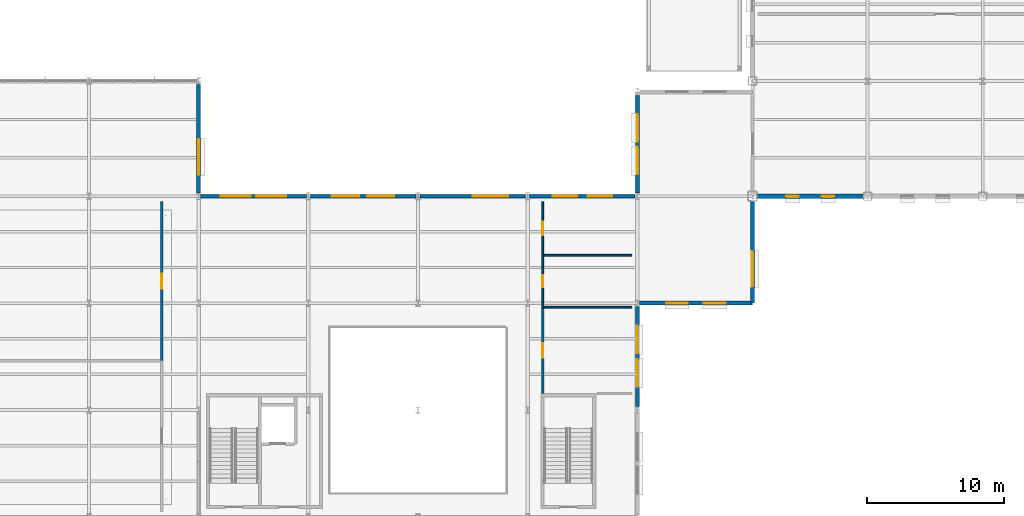
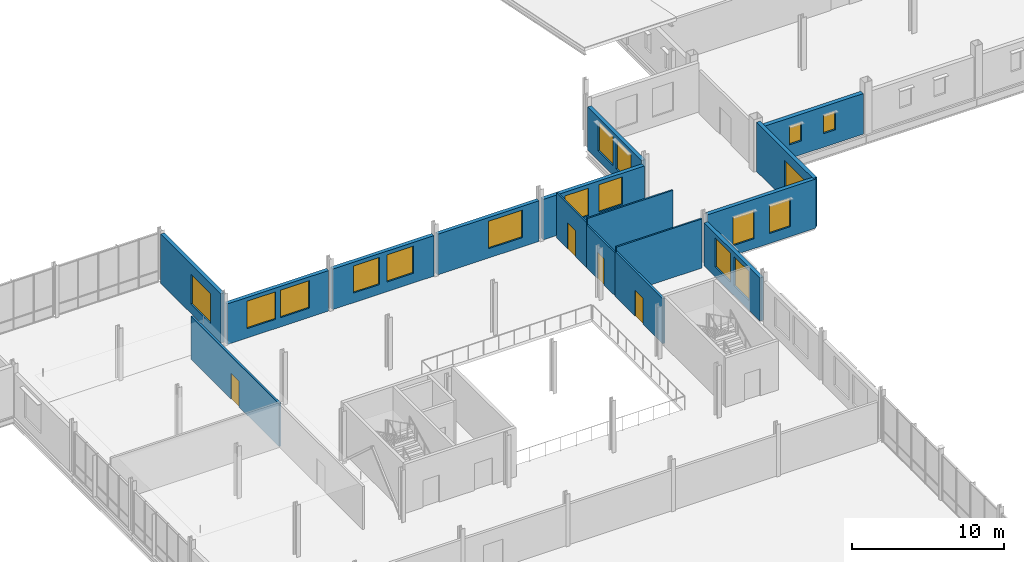
# One storey, part 63 of 75: 17 windows, 16 walls, 4 doors, 21 openings.
"""IFC4 building model written with IfcOpenShell, lengths in metres."""

from ifc_helpers import new_model, si_unit, direction, frame, frame_2d, origin, place, context, subcontext, project, spatial, rectangle, extrude, material, layer, layer_set, type_object, element, fill, save


model = new_model("IFC4")

# Units and contexts
model_context = context("Model", 3, precision=1e-05, world=origin(), true_north=direction((0.0, 1.0)))
body_context = subcontext(model_context, "Body", "Model", "MODEL_VIEW")
ifc_project = project(units=[si_unit("LENGTHUNIT", "METRE"), si_unit("AREAUNIT", "SQUARE_METRE"), si_unit("VOLUMEUNIT", "CUBIC_METRE"), si_unit("PLANEANGLEUNIT", "RADIAN"), si_unit("MASSUNIT", "GRAM", prefix="KILO")], contexts=[model_context])

# Site, building, storey
site_placement = place(None, origin())
site = spatial("IfcSite", under=ifc_project, at=site_placement, CompositionType="ELEMENT")
building_placement = place(site_placement, origin())
building = spatial("IfcBuilding", under=site, at=building_placement, Name="Yukiwa Park Conservatory and Herbarium", CompositionType="ELEMENT")
storey_placement = place(building_placement, frame((0.0, 0.0, 4.800048828125)))
storey = spatial("IfcBuildingStorey", under=building, at=storey_placement, Name="L01", CompositionType="ELEMENT", Elevation=4.800048828125)

# Wall, openings, windows
ifc_material_1 = material(Name="Pale Granite Cladding", Category="masonry")
ifc_layer_1 = layer(ifc_material_1, 0.320068359375)
ifc_layer_set_1 = layer_set([ifc_layer_1], Name="Pale Granite Cladding")
wall_type_1 = type_object("IfcWallType", Name="WL-EXT-GRAN-320", PredefinedType="SOLIDWALL", material=ifc_layer_set_1)
wall_1_placement = place(storey_placement, frame((116.75, 78.0, 0.0), z_axis=(0.0, 0.0, 1.0), x_axis=(1.0, 0.0, 0.0)))
wall_1 = element("IfcWall", 1, at=wall_1_placement, inside=storey, type_object=wall_type_1, Name="L01 exterior envelope wall 159", PredefinedType="SOLIDWALL", context=body_context, shape_type="SweptSolid", body=[
    extrude(rectangle(XDim=7.75, YDim=0.320068359375, at=frame_2d((3.875, 0.0))), origin(), (0.0, 0.0, 1.0), 3.262939453125),
])
opening_1_placement = place(wall_1_placement, frame((2.133056640625, 0.0, 1.10009765625)))
opening_1 = element("IfcOpeningElement", 2, at=opening_1_placement, cuts=wall_1, Name="Opening W-11", PredefinedType="OPENING", context=body_context, shape_type="SweptSolid", body=[
    extrude(rectangle(XDim=0.89990234375, YDim=1.5, at=frame_2d((0.449951171875, 0.75))), frame((0.0, 0.169921875, 0.0), z_axis=(0.0, -1.0, 0.0), x_axis=(1.0, 0.0, 0.0)), (0.0, 0.0, 1.0), 0.340087890625),
])
opening_2_placement = place(wall_1_placement, frame((4.717041015625, 0.0, 1.10009765625)))
opening_2 = element("IfcOpeningElement", 3, at=opening_2_placement, cuts=wall_1, Name="Opening W-11", PredefinedType="OPENING", context=body_context, shape_type="SweptSolid", body=[
    extrude(rectangle(XDim=0.89990234375, YDim=1.5, at=frame_2d((0.449951171875, 0.75))), frame((0.0, 0.169921875, 0.0), z_axis=(0.0, -1.0, 0.0), x_axis=(1.0, 0.0, 0.0)), (0.0, 0.0, 1.0), 0.340087890625),
])
ifc_material_2 = material(Name="Triple Low-E Insulated Glass", Category="glass")
window_type_1 = type_object("IfcWindowType", Name="WN-HB-0900X1500", PartitioningType="SINGLE_PANEL", PredefinedType="WINDOW", material=ifc_material_2)
window_1_placement = place(opening_1_placement, origin())
window_1 = element("IfcWindow", 4, at=window_1_placement, inside=storey, type_object=window_type_1, Name="L01 deep-reveal triple-glazed window 56", OverallHeight=1.5, OverallWidth=0.89990234375, PartitioningType="SINGLE_PANEL", PredefinedType="WINDOW", context=body_context, shape_type="SweptSolid", body=[
    extrude(rectangle(XDim=0.89990234375, YDim=1.5, at=frame_2d((0.449951171875, 0.75))), frame((0.0, 0.030029296875, 0.0), z_axis=(0.0, -1.0, 0.0), x_axis=(1.0, 0.0, 0.0)), (0.0, 0.0, 1.0), 0.06005859375),
])
fill(opening_1, window_1)
window_2_placement = place(opening_2_placement, origin())
window_2 = element("IfcWindow", 5, at=window_2_placement, inside=storey, type_object=window_type_1, Name="L01 deep-reveal triple-glazed window 57", OverallHeight=1.5, OverallWidth=0.89990234375, PartitioningType="SINGLE_PANEL", PredefinedType="WINDOW", context=body_context, shape_type="SweptSolid", body=[
    extrude(rectangle(XDim=0.89990234375, YDim=1.5, at=frame_2d((0.449951171875, 0.75))), frame((0.0, 0.030029296875, 0.0), z_axis=(0.0, -1.0, 0.0), x_axis=(1.0, 0.0, 0.0)), (0.0, 0.0, 1.0), 0.06005859375),
])
fill(opening_2, window_2)

ifc_material_3 = material(Name="Charred Larch Cladding", Category="wood")
ifc_layer_2 = layer(ifc_material_3, 0.2900390625)
ifc_layer_set_2 = layer_set([ifc_layer_2], Name="Charred Larch Cladding")
wall_type_2 = type_object("IfcWallType", Name="WL-EXT-LARCH-290", PredefinedType="SOLIDWALL", material=ifc_layer_set_2)
wall_2_placement = place(storey_placement, frame((108.0, 62.64404296875, 0.0), z_axis=(0.0, 0.0, 1.0), x_axis=(0.0, 1.0, 0.0)))
wall_2 = element("IfcWall", 6, at=wall_2_placement, inside=storey, type_object=wall_type_2, Name="L01 exterior envelope wall 156", PredefinedType="SOLIDWALL", context=body_context, shape_type="SweptSolid", body=[
    extrude(rectangle(XDim=7.3359375, YDim=0.2900390625, at=frame_2d((3.66796875, 0.0))), origin(), (0.0, 0.0, 1.0), 3.4609375),
])
opening_3_placement = place(wall_2_placement, frame((1.445068359375, 0.0, 0.780029296875)))
opening_3 = element("IfcOpeningElement", 7, at=opening_3_placement, cuts=wall_2, Name="Opening W-29", PredefinedType="OPENING", context=body_context, shape_type="SweptSolid", body=[
    extrude(rectangle(XDim=2.0, YDim=2.35009765625, at=frame_2d((1.0, 1.175048828125))), frame((0.0, 0.155029296875, 0.0), z_axis=(0.0, -1.0, 0.0), x_axis=(1.0, 0.0, 0.0)), (0.0, 0.0, 1.0), 0.31005859375),
])
opening_4_placement = place(wall_2_placement, frame((3.89111328125, 0.0, 0.780029296875)))
opening_4 = element("IfcOpeningElement", 8, at=opening_4_placement, cuts=wall_2, Name="Opening W-29", PredefinedType="OPENING", context=body_context, shape_type="SweptSolid", body=[
    extrude(rectangle(XDim=2.0, YDim=2.35009765625, at=frame_2d((1.0, 1.175048828125))), frame((0.0, 0.155029296875, 0.0), z_axis=(0.0, -1.0, 0.0), x_axis=(1.0, 0.0, 0.0)), (0.0, 0.0, 1.0), 0.31005859375),
])
ifc_material_4 = material(Name="Triple Low-E Insulated Glass", Category="glass")
window_type_2 = type_object("IfcWindowType", Name="WN-VS-2000X2350", PartitioningType="SINGLE_PANEL", PredefinedType="WINDOW", material=ifc_material_4)
window_3_placement = place(opening_3_placement, origin())
window_3 = element("IfcWindow", 9, at=window_3_placement, inside=storey, type_object=window_type_2, Name="L01 deep-reveal triple-glazed window 51", OverallHeight=2.35009765625, OverallWidth=2.0, PartitioningType="SINGLE_PANEL", PredefinedType="WINDOW", context=body_context, shape_type="SweptSolid", body=[
    extrude(rectangle(XDim=2.0, YDim=2.35009765625, at=frame_2d((1.0, 1.175048828125))), frame((0.0, 0.030029296875, 0.0), z_axis=(0.0, -1.0, 0.0), x_axis=(1.0, 0.0, 0.0)), (0.0, 0.0, 1.0), 0.06005859375),
])
fill(opening_3, window_3)
window_4_placement = place(opening_4_placement, origin())
window_4 = element("IfcWindow", 10, at=window_4_placement, inside=storey, type_object=window_type_2, Name="L01 deep-reveal triple-glazed window 52", OverallHeight=2.35009765625, OverallWidth=2.0, PartitioningType="SINGLE_PANEL", PredefinedType="WINDOW", context=body_context, shape_type="SweptSolid", body=[
    extrude(rectangle(XDim=2.0, YDim=2.35009765625, at=frame_2d((1.0, 1.175048828125))), frame((0.0, 0.030029296875, 0.0), z_axis=(0.0, -1.0, 0.0), x_axis=(1.0, 0.0, 0.0)), (0.0, 0.0, 1.0), 0.06005859375),
])
fill(opening_4, window_4)

wall_3_placement = place(storey_placement, frame((108.14990234375, 70.199951171875, 0.0), z_axis=(0.0, 0.0, 1.0), x_axis=(1.0, 0.0, 0.0)))
wall_3 = element("IfcWall", 11, at=wall_3_placement, inside=storey, type_object=wall_type_2, Name="L01 exterior envelope wall 157", PredefinedType="SOLIDWALL", context=body_context, shape_type="SweptSolid", body=[
    extrude(rectangle(XDim=8.25, YDim=0.2900390625, at=frame_2d((4.125, 0.0))), origin(), (0.0, 0.0, 1.0), 3.954833984375),
])
opening_5_placement = place(wall_3_placement, frame((1.949951171875, 0.0, 0.800048828125)))
opening_5 = element("IfcOpeningElement", 12, at=opening_5_placement, cuts=wall_3, Name="Opening W-28", PredefinedType="OPENING", context=body_context, shape_type="SweptSolid", body=[
    extrude(rectangle(XDim=1.60009765625, YDim=2.300048828125, at=frame_2d((0.800048828125, 1.14990234375))), frame((0.0, 0.155029296875, 0.0), z_axis=(0.0, -1.0, 0.0), x_axis=(1.0, 0.0, 0.0)), (0.0, 0.0, 1.0), 0.31005859375),
])
opening_6_placement = place(wall_3_placement, frame((4.699951171875, 0.0, 0.800048828125)))
opening_6 = element("IfcOpeningElement", 13, at=opening_6_placement, cuts=wall_3, Name="Opening W-28", PredefinedType="OPENING", context=body_context, shape_type="SweptSolid", body=[
    extrude(rectangle(XDim=1.60009765625, YDim=2.300048828125, at=frame_2d((0.800048828125, 1.14990234375))), frame((0.0, 0.155029296875, 0.0), z_axis=(0.0, -1.0, 0.0), x_axis=(1.0, 0.0, 0.0)), (0.0, 0.0, 1.0), 0.31005859375),
])
ifc_material_5 = material(Name="Triple Low-E Insulated Glass", Category="glass")
window_type_3 = type_object("IfcWindowType", Name="WN-VS-1600X2300", PartitioningType="SINGLE_PANEL", PredefinedType="WINDOW", material=ifc_material_5)
window_5_placement = place(opening_5_placement, origin())
window_5 = element("IfcWindow", 14, at=window_5_placement, inside=storey, type_object=window_type_3, Name="L01 deep-reveal triple-glazed window 53", OverallHeight=2.300048828125, OverallWidth=1.60009765625, PartitioningType="SINGLE_PANEL", PredefinedType="WINDOW", context=body_context, shape_type="SweptSolid", body=[
    extrude(rectangle(XDim=1.60009765625, YDim=2.300048828125, at=frame_2d((0.800048828125, 1.14990234375))), frame((0.0, 0.030029296875, 0.0), z_axis=(0.0, -1.0, 0.0), x_axis=(1.0, 0.0, 0.0)), (0.0, 0.0, 1.0), 0.06005859375),
])
fill(opening_5, window_5)
window_6_placement = place(opening_6_placement, origin())
window_6 = element("IfcWindow", 15, at=window_6_placement, inside=storey, type_object=window_type_3, Name="L01 deep-reveal triple-glazed window 54", OverallHeight=2.300048828125, OverallWidth=1.60009765625, PartitioningType="SINGLE_PANEL", PredefinedType="WINDOW", context=body_context, shape_type="SweptSolid", body=[
    extrude(rectangle(XDim=1.60009765625, YDim=2.300048828125, at=frame_2d((0.800048828125, 1.14990234375))), frame((0.0, 0.030029296875, 0.0), z_axis=(0.0, -1.0, 0.0), x_axis=(1.0, 0.0, 0.0)), (0.0, 0.0, 1.0), 0.06005859375),
])
fill(opening_6, window_6)

# Wall, opening, window
wall_4_placement = place(storey_placement, frame((116.39990234375, 70.199951171875, 0.0), z_axis=(0.0, 0.0, 1.0), x_axis=(0.0, 1.0, 0.0)))
wall_4 = element("IfcWall", 16, at=wall_4_placement, inside=storey, type_object=wall_type_2, Name="L01 exterior envelope wall 158", PredefinedType="SOLIDWALL", context=body_context, shape_type="SweptSolid", body=[
    extrude(rectangle(XDim=7.449951171875, YDim=0.2900390625, at=frame_2d((3.72509765625, 0.0))), origin(), (0.0, 0.0, 1.0), 3.954833984375),
])
opening_7_placement = place(wall_4_placement, frame((1.18310546875, 0.0, 0.75)))
opening_7 = element("IfcOpeningElement", 17, at=opening_7_placement, cuts=wall_4, Name="Opening W-14", PredefinedType="OPENING", context=body_context, shape_type="SweptSolid", body=[
    extrude(rectangle(XDim=2.60009765625, YDim=2.39990234375, at=frame_2d((1.300048828125, 1.199951171875))), frame((0.0, 0.155029296875, 0.0), z_axis=(0.0, -1.0, 0.0), x_axis=(1.0, 0.0, 0.0)), (0.0, 0.0, 1.0), 0.31005859375),
])
ifc_material_6 = material(Name="Triple Low-E Insulated Glass", Category="glass")
window_type_4 = type_object("IfcWindowType", Name="WN-VS-2600X2400", PartitioningType="SINGLE_PANEL", PredefinedType="WINDOW", material=ifc_material_6)
window_7_placement = place(opening_7_placement, origin())
window_7 = element("IfcWindow", 18, at=window_7_placement, inside=storey, type_object=window_type_4, Name="L01 deep-reveal triple-glazed window 55", OverallHeight=2.39990234375, OverallWidth=2.60009765625, PartitioningType="SINGLE_PANEL", PredefinedType="WINDOW", context=body_context, shape_type="SweptSolid", body=[
    extrude(rectangle(XDim=2.60009765625, YDim=2.39990234375, at=frame_2d((1.300048828125, 1.199951171875))), frame((0.0, 0.030029296875, 0.0), z_axis=(0.0, -1.0, 0.0), x_axis=(1.0, 0.0, 0.0)), (0.0, 0.0, 1.0), 0.06005859375),
])
fill(opening_7, window_7)

# Wall, openings, windows
wall_5_placement = place(storey_placement, frame((108.0, 85.35595703125, 0.0), z_axis=(0.0, 0.0, 1.0), x_axis=(0.0, -1.0, 0.0)))
wall_5 = element("IfcWall", 19, at=wall_5_placement, inside=storey, type_object=wall_type_2, Name="L01 exterior envelope wall 179", PredefinedType="SOLIDWALL", context=body_context, shape_type="SweptSolid", body=[
    extrude(rectangle(XDim=7.135986328125, YDim=0.2900390625, at=frame_2d((3.56787109375, 0.0))), origin(), (0.0, 0.0, 1.0), 3.4609375),
])
opening_8_placement = place(wall_5_placement, frame((1.37890625, 0.0, 0.780029296875)))
opening_8 = element("IfcOpeningElement", 20, at=opening_8_placement, cuts=wall_5, Name="Opening W-29", PredefinedType="OPENING", context=body_context, shape_type="SweptSolid", body=[
    extrude(rectangle(XDim=2.0, YDim=2.35009765625, at=frame_2d((1.0, 1.175048828125))), frame((0.0, 0.155029296875, 0.0), z_axis=(0.0, -1.0, 0.0), x_axis=(1.0, 0.0, 0.0)), (0.0, 0.0, 1.0), 0.31005859375),
])
opening_9_placement = place(wall_5_placement, frame((3.757080078125, 0.0, 0.780029296875)))
opening_9 = element("IfcOpeningElement", 21, at=opening_9_placement, cuts=wall_5, Name="Opening W-29", PredefinedType="OPENING", context=body_context, shape_type="SweptSolid", body=[
    extrude(rectangle(XDim=2.0, YDim=2.35009765625, at=frame_2d((1.0, 1.175048828125))), frame((0.0, 0.155029296875, 0.0), z_axis=(0.0, -1.0, 0.0), x_axis=(1.0, 0.0, 0.0)), (0.0, 0.0, 1.0), 0.31005859375),
])
window_8_placement = place(opening_8_placement, origin())
window_8 = element("IfcWindow", 22, at=window_8_placement, inside=storey, type_object=window_type_2, Name="L01 deep-reveal triple-glazed window 92", OverallHeight=2.35009765625, OverallWidth=2.0, PartitioningType="SINGLE_PANEL", PredefinedType="WINDOW", context=body_context, shape_type="SweptSolid", body=[
    extrude(rectangle(XDim=2.0, YDim=2.35009765625, at=frame_2d((1.0, 1.175048828125))), frame((0.0, 0.030029296875, 0.0), z_axis=(0.0, -1.0, 0.0), x_axis=(1.0, 0.0, 0.0)), (0.0, 0.0, 1.0), 0.06005859375),
])
fill(opening_8, window_8)
window_9_placement = place(opening_9_placement, origin())
window_9 = element("IfcWindow", 23, at=window_9_placement, inside=storey, type_object=window_type_2, Name="L01 deep-reveal triple-glazed window 93", OverallHeight=2.35009765625, OverallWidth=2.0, PartitioningType="SINGLE_PANEL", PredefinedType="WINDOW", context=body_context, shape_type="SweptSolid", body=[
    extrude(rectangle(XDim=2.0, YDim=2.35009765625, at=frame_2d((1.0, 1.175048828125))), frame((0.0, 0.030029296875, 0.0), z_axis=(0.0, -1.0, 0.0), x_axis=(1.0, 0.0, 0.0)), (0.0, 0.0, 1.0), 0.06005859375),
])
fill(opening_9, window_9)

wall_6_placement = place(storey_placement, frame((107.85009765625, 78.0, 0.0), z_axis=(0.0, 0.0, 1.0), x_axis=(-1.0, 0.0, 0.0)))
wall_6 = element("IfcWall", 24, at=wall_6_placement, inside=storey, type_object=wall_type_2, Name="L01 exterior envelope wall 180", PredefinedType="SOLIDWALL", context=body_context, shape_type="SweptSolid", body=[
    extrude(rectangle(XDim=7.7001953125, YDim=0.2900390625, at=frame_2d((3.85009765625, 0.0))), origin(), (0.0, 0.0, 1.0), 3.262939453125),
])
opening_10_placement = place(wall_6_placement, frame((1.6669921875, 0.0, 0.75)))
opening_10 = element("IfcOpeningElement", 25, at=opening_10_placement, cuts=wall_6, Name="Opening W-12", PredefinedType="OPENING", context=body_context, shape_type="SweptSolid", body=[
    extrude(rectangle(XDim=1.800048828125, YDim=2.2099609375, at=frame_2d((0.89990234375, 1.10498046875))), frame((0.0, 0.155029296875, 0.0), z_axis=(0.0, -1.0, 0.0), x_axis=(1.0, 0.0, 0.0)), (0.0, 0.0, 1.0), 0.31005859375),
])
opening_11_placement = place(wall_6_placement, frame((4.23291015625, 0.0, 0.75)))
opening_11 = element("IfcOpeningElement", 26, at=opening_11_placement, cuts=wall_6, Name="Opening W-12", PredefinedType="OPENING", context=body_context, shape_type="SweptSolid", body=[
    extrude(rectangle(XDim=1.800048828125, YDim=2.2099609375, at=frame_2d((0.89990234375, 1.10498046875))), frame((0.0, 0.155029296875, 0.0), z_axis=(0.0, -1.0, 0.0), x_axis=(1.0, 0.0, 0.0)), (0.0, 0.0, 1.0), 0.31005859375),
])
ifc_material_7 = material(Name="Triple Low-E Insulated Glass", Category="glass")
window_type_5 = type_object("IfcWindowType", Name="WN-VS-1800X2400", PartitioningType="SINGLE_PANEL", PredefinedType="WINDOW", material=ifc_material_7)
window_10_placement = place(opening_10_placement, origin())
window_10 = element("IfcWindow", 27, at=window_10_placement, inside=storey, type_object=window_type_5, Name="L01 deep-reveal triple-glazed window 94", OverallHeight=2.2099609375, OverallWidth=1.800048828125, PartitioningType="SINGLE_PANEL", PredefinedType="WINDOW", context=body_context, shape_type="SweptSolid", body=[
    extrude(rectangle(XDim=1.800048828125, YDim=2.2099609375, at=frame_2d((0.89990234375, 1.10498046875))), frame((0.0, 0.030029296875, 0.0), z_axis=(0.0, -1.0, 0.0), x_axis=(1.0, 0.0, 0.0)), (0.0, 0.0, 1.0), 0.06005859375),
])
fill(opening_10, window_10)
window_11_placement = place(opening_11_placement, origin())
window_11 = element("IfcWindow", 28, at=window_11_placement, inside=storey, type_object=window_type_5, Name="L01 deep-reveal triple-glazed window 95", OverallHeight=2.2099609375, OverallWidth=1.800048828125, PartitioningType="SINGLE_PANEL", PredefinedType="WINDOW", context=body_context, shape_type="SweptSolid", body=[
    extrude(rectangle(XDim=1.800048828125, YDim=2.2099609375, at=frame_2d((0.89990234375, 1.10498046875))), frame((0.0, 0.030029296875, 0.0), z_axis=(0.0, -1.0, 0.0), x_axis=(1.0, 0.0, 0.0)), (0.0, 0.0, 1.0), 0.06005859375),
])
fill(opening_11, window_11)

# Wall, opening, window
wall_7_placement = place(storey_placement, frame((99.85009765625, 78.0, 0.0), z_axis=(0.0, 0.0, 1.0), x_axis=(-1.0, 0.0, 0.0)))
wall_7 = element("IfcWall", 29, at=wall_7_placement, inside=storey, type_object=wall_type_2, Name="L01 exterior envelope wall 181", PredefinedType="SOLIDWALL", context=body_context, shape_type="SweptSolid", body=[
    extrude(rectangle(XDim=7.7001953125, YDim=0.2900390625, at=frame_2d((3.85009765625, 0.0))), origin(), (0.0, 0.0, 1.0), 3.262939453125),
])
opening_12_placement = place(wall_7_placement, frame((1.26708984375, 0.0, 0.75)))
opening_12 = element("IfcOpeningElement", 30, at=opening_12_placement, cuts=wall_7, Name="Opening W-14", PredefinedType="OPENING", context=body_context, shape_type="SweptSolid", body=[
    extrude(rectangle(XDim=2.60009765625, YDim=2.2099609375, at=frame_2d((1.300048828125, 1.10498046875))), frame((0.0, 0.155029296875, 0.0), z_axis=(0.0, -1.0, 0.0), x_axis=(1.0, 0.0, 0.0)), (0.0, 0.0, 1.0), 0.31005859375),
])
window_12_placement = place(opening_12_placement, origin())
window_12 = element("IfcWindow", 31, at=window_12_placement, inside=storey, type_object=window_type_4, Name="L01 deep-reveal triple-glazed window 96", OverallHeight=2.2099609375, OverallWidth=2.60009765625, PartitioningType="SINGLE_PANEL", PredefinedType="WINDOW", context=body_context, shape_type="SweptSolid", body=[
    extrude(rectangle(XDim=2.60009765625, YDim=2.2099609375, at=frame_2d((1.300048828125, 1.10498046875))), frame((0.0, 0.030029296875, 0.0), z_axis=(0.0, -1.0, 0.0), x_axis=(1.0, 0.0, 0.0)), (0.0, 0.0, 1.0), 0.06005859375),
])
fill(opening_12, window_12)

# Wall, openings, windows
wall_8_placement = place(storey_placement, frame((91.85009765625, 78.0, 0.0), z_axis=(0.0, 0.0, 1.0), x_axis=(-1.0, 0.0, 0.0)))
wall_8 = element("IfcWall", 32, at=wall_8_placement, inside=storey, type_object=wall_type_2, Name="L01 exterior envelope wall 182", PredefinedType="SOLIDWALL", context=body_context, shape_type="SweptSolid", body=[
    extrude(rectangle(XDim=7.7001953125, YDim=0.2900390625, at=frame_2d((3.85009765625, 0.0))), origin(), (0.0, 0.0, 1.0), 3.262939453125),
])
opening_13_placement = place(wall_8_placement, frame((1.56689453125, 0.0, 0.780029296875)))
opening_13 = element("IfcOpeningElement", 33, at=opening_13_placement, cuts=wall_8, Name="Opening W-29", PredefinedType="OPENING", context=body_context, shape_type="SweptSolid", body=[
    extrude(rectangle(XDim=2.0, YDim=2.179931640625, at=frame_2d((1.0, 1.08984375))), frame((0.0, 0.155029296875, 0.0), z_axis=(0.0, -1.0, 0.0), x_axis=(1.0, 0.0, 0.0)), (0.0, 0.0, 1.0), 0.31005859375),
])
opening_14_placement = place(wall_8_placement, frame((4.133056640625, 0.0, 0.780029296875)))
opening_14 = element("IfcOpeningElement", 34, at=opening_14_placement, cuts=wall_8, Name="Opening W-29", PredefinedType="OPENING", context=body_context, shape_type="SweptSolid", body=[
    extrude(rectangle(XDim=2.0, YDim=2.179931640625, at=frame_2d((1.0, 1.08984375))), frame((0.0, 0.155029296875, 0.0), z_axis=(0.0, -1.0, 0.0), x_axis=(1.0, 0.0, 0.0)), (0.0, 0.0, 1.0), 0.31005859375),
])
window_13_placement = place(opening_13_placement, origin())
window_13 = element("IfcWindow", 35, at=window_13_placement, inside=storey, type_object=window_type_2, Name="L01 deep-reveal triple-glazed window 97", OverallHeight=2.179931640625, OverallWidth=2.0, PartitioningType="SINGLE_PANEL", PredefinedType="WINDOW", context=body_context, shape_type="SweptSolid", body=[
    extrude(rectangle(XDim=2.0, YDim=2.179931640625, at=frame_2d((1.0, 1.08984375))), frame((0.0, 0.030029296875, 0.0), z_axis=(0.0, -1.0, 0.0), x_axis=(1.0, 0.0, 0.0)), (0.0, 0.0, 1.0), 0.06005859375),
])
fill(opening_13, window_13)
window_14_placement = place(opening_14_placement, origin())
window_14 = element("IfcWindow", 36, at=window_14_placement, inside=storey, type_object=window_type_2, Name="L01 deep-reveal triple-glazed window 98", OverallHeight=2.179931640625, OverallWidth=2.0, PartitioningType="SINGLE_PANEL", PredefinedType="WINDOW", context=body_context, shape_type="SweptSolid", body=[
    extrude(rectangle(XDim=2.0, YDim=2.179931640625, at=frame_2d((1.0, 1.08984375))), frame((0.0, 0.030029296875, 0.0), z_axis=(0.0, -1.0, 0.0), x_axis=(1.0, 0.0, 0.0)), (0.0, 0.0, 1.0), 0.06005859375),
])
fill(opening_14, window_14)

wall_9_placement = place(storey_placement, frame((83.85009765625, 78.0, 0.0), z_axis=(0.0, 0.0, 1.0), x_axis=(-1.0, 0.0, 0.0)))
wall_9 = element("IfcWall", 37, at=wall_9_placement, inside=storey, type_object=wall_type_2, Name="L01 exterior envelope wall 183", PredefinedType="SOLIDWALL", context=body_context, shape_type="SweptSolid", body=[
    extrude(rectangle(XDim=7.7001953125, YDim=0.2900390625, at=frame_2d((3.85009765625, 0.0))), origin(), (0.0, 0.0, 1.0), 3.262939453125),
])
opening_15_placement = place(wall_9_placement, frame((1.467041015625, 0.0, 0.75)))
opening_15 = element("IfcOpeningElement", 38, at=opening_15_placement, cuts=wall_9, Name="Opening W-13", PredefinedType="OPENING", context=body_context, shape_type="SweptSolid", body=[
    extrude(rectangle(XDim=2.199951171875, YDim=2.2099609375, at=frame_2d((1.10009765625, 1.10498046875))), frame((0.0, 0.155029296875, 0.0), z_axis=(0.0, -1.0, 0.0), x_axis=(1.0, 0.0, 0.0)), (0.0, 0.0, 1.0), 0.31005859375),
])
opening_16_placement = place(wall_9_placement, frame((4.032958984375, 0.0, 0.75)))
opening_16 = element("IfcOpeningElement", 39, at=opening_16_placement, cuts=wall_9, Name="Opening W-13", PredefinedType="OPENING", context=body_context, shape_type="SweptSolid", body=[
    extrude(rectangle(XDim=2.199951171875, YDim=2.2099609375, at=frame_2d((1.10009765625, 1.10498046875))), frame((0.0, 0.155029296875, 0.0), z_axis=(0.0, -1.0, 0.0), x_axis=(1.0, 0.0, 0.0)), (0.0, 0.0, 1.0), 0.31005859375),
])
ifc_material_8 = material(Name="Triple Low-E Insulated Glass", Category="glass")
window_type_6 = type_object("IfcWindowType", Name="WN-VS-2200X2400", PartitioningType="SINGLE_PANEL", PredefinedType="WINDOW", material=ifc_material_8)
window_15_placement = place(opening_15_placement, origin())
window_15 = element("IfcWindow", 40, at=window_15_placement, inside=storey, type_object=window_type_6, Name="L01 deep-reveal triple-glazed window 99", OverallHeight=2.2099609375, OverallWidth=2.199951171875, PartitioningType="SINGLE_PANEL", PredefinedType="WINDOW", context=body_context, shape_type="SweptSolid", body=[
    extrude(rectangle(XDim=2.199951171875, YDim=2.2099609375, at=frame_2d((1.10009765625, 1.10498046875))), frame((0.0, 0.030029296875, 0.0), z_axis=(0.0, -1.0, 0.0), x_axis=(1.0, 0.0, 0.0)), (0.0, 0.0, 1.0), 0.06005859375),
])
fill(opening_15, window_15)
window_16_placement = place(opening_16_placement, origin())
window_16 = element("IfcWindow", 41, at=window_16_placement, inside=storey, type_object=window_type_6, Name="L01 deep-reveal triple-glazed window 100", OverallHeight=2.2099609375, OverallWidth=2.199951171875, PartitioningType="SINGLE_PANEL", PredefinedType="WINDOW", context=body_context, shape_type="SweptSolid", body=[
    extrude(rectangle(XDim=2.199951171875, YDim=2.2099609375, at=frame_2d((1.10009765625, 1.10498046875))), frame((0.0, 0.030029296875, 0.0), z_axis=(0.0, -1.0, 0.0), x_axis=(1.0, 0.0, 0.0)), (0.0, 0.0, 1.0), 0.06005859375),
])
fill(opening_16, window_16)

# Wall, opening, window
wall_10_placement = place(storey_placement, frame((76.0, 78.219970703125, 0.0), z_axis=(0.0, 0.0, 1.0), x_axis=(0.0, 1.0, 0.0)))
wall_10 = element("IfcWall", 42, at=wall_10_placement, inside=storey, type_object=wall_type_2, Name="L01 exterior envelope wall 184", PredefinedType="SOLIDWALL", context=body_context, shape_type="SweptSolid", body=[
    extrude(rectangle(XDim=7.93603515625, YDim=0.2900390625, at=frame_2d((3.968017578125, 0.0))), origin(), (0.0, 0.0, 1.0), 3.954833984375),
])
opening_17_placement = place(wall_10_placement, frame((1.344970703125, 0.0, 0.75)))
opening_17 = element("IfcOpeningElement", 43, at=opening_17_placement, cuts=wall_10, Name="Opening W-14", PredefinedType="OPENING", context=body_context, shape_type="SweptSolid", body=[
    extrude(rectangle(XDim=2.60009765625, YDim=2.39990234375, at=frame_2d((1.300048828125, 1.199951171875))), frame((0.0, 0.155029296875, 0.0), z_axis=(0.0, -1.0, 0.0), x_axis=(1.0, 0.0, 0.0)), (0.0, 0.0, 1.0), 0.31005859375),
])
window_17_placement = place(opening_17_placement, origin())
window_17 = element("IfcWindow", 44, at=window_17_placement, inside=storey, type_object=window_type_4, Name="L01 deep-reveal triple-glazed window 101", OverallHeight=2.39990234375, OverallWidth=2.60009765625, PartitioningType="SINGLE_PANEL", PredefinedType="WINDOW", context=body_context, shape_type="SweptSolid", body=[
    extrude(rectangle(XDim=2.60009765625, YDim=2.39990234375, at=frame_2d((1.300048828125, 1.199951171875))), frame((0.0, 0.030029296875, 0.0), z_axis=(0.0, -1.0, 0.0), x_axis=(1.0, 0.0, 0.0)), (0.0, 0.0, 1.0), 0.06005859375),
])
fill(opening_17, window_17)

# Wall, opening, door
ifc_material_9 = material(Name="Gypsum Board Partition", Category="gypsum")
ifc_layer_3 = layer(ifc_material_9, 0.159912109375)
ifc_layer_set_3 = layer_set([ifc_layer_3], Name="Gypsum Board Partition")
wall_type_3 = type_object("IfcWallType", Name="WL-PART-GYP-160", PredefinedType="PARTITIONING", material=ifc_layer_set_3)
wall_11_placement = place(storey_placement, frame((73.300048828125, 66.0, 0.0), z_axis=(0.0, 0.0, 1.0), x_axis=(0.0, 1.0, 0.0)))
wall_11 = element("IfcWall", 45, at=wall_11_placement, inside=storey, type_object=wall_type_3, Name="L01 interior partition wall 222", PredefinedType="PARTITIONING", context=body_context, shape_type="SweptSolid", body=[
    extrude(rectangle(XDim=11.60009765625, YDim=0.159912109375, at=frame_2d((5.800048828125, 0.0))), origin(), (0.0, 0.0, 1.0), 3.458984375),
])
opening_18_placement = place(wall_11_placement, frame((5.25, 0.0, 0.0)))
opening_18 = element("IfcOpeningElement", 46, at=opening_18_placement, cuts=wall_11, Name="Opening ID-11", PredefinedType="OPENING", context=body_context, shape_type="SweptSolid", body=[
    extrude(rectangle(XDim=1.080078125, YDim=2.080078125, at=frame_2d((0.5400390625, 1.0400390625))), frame((0.0, 0.08984375, 0.0), z_axis=(0.0, -1.0, 0.0), x_axis=(1.0, 0.0, 0.0)), (0.0, 0.0, 1.0), 0.179931640625),
])
ifc_material_10 = material(Name="Charred Larch Cladding", Category="wood")
door_type_1 = type_object("IfcDoorType", Name="DR-INT-1100", OperationType="SINGLE_SWING_RIGHT", PredefinedType="DOOR", material=ifc_material_10)
door_1_placement = place(opening_18_placement, origin())
door_1 = element("IfcDoor", 47, at=door_1_placement, inside=storey, type_object=door_type_1, Name="L01 Education Classroom 2 door", OperationType="SINGLE_SWING_RIGHT", OverallHeight=2.080078125, OverallWidth=1.080078125, PredefinedType="DOOR", context=body_context, shape_type="SweptSolid", body=[
    extrude(rectangle(XDim=1.080078125, YDim=2.080078125, at=frame_2d((0.5400390625, 1.0400390625))), frame((0.0, 0.02490234375, 0.0), z_axis=(0.0, -1.0, 0.0), x_axis=(1.0, 0.0, 0.0)), (0.0, 0.0, 1.0), 0.050048828125),
])
fill(opening_18, door_1)

wall_12_placement = place(storey_placement, frame((101.10009765625, 63.60009765625, 0.0), z_axis=(0.0, 0.0, 1.0), x_axis=(0.0, 1.0, 0.0)))
wall_12 = element("IfcWall", 48, at=wall_12_placement, inside=storey, type_object=wall_type_3, Name="L01 interior partition wall 224", PredefinedType="PARTITIONING", context=body_context, shape_type="SweptSolid", body=[
    extrude(rectangle(XDim=6.2998046875, YDim=0.159912109375, at=frame_2d((3.14990234375, 0.0))), origin(), (0.0, 0.0, 1.0), 3.60888671875),
])
opening_19_placement = place(wall_12_placement, frame((2.60009765625, 0.0, 0.0)))
opening_19 = element("IfcOpeningElement", 49, at=opening_19_placement, cuts=wall_12, Name="Opening ID-11", PredefinedType="OPENING", context=body_context, shape_type="SweptSolid", body=[
    extrude(rectangle(XDim=1.080078125, YDim=2.080078125, at=frame_2d((0.5400390625, 1.0400390625))), frame((0.0, 0.08984375, 0.0), z_axis=(0.0, -1.0, 0.0), x_axis=(1.0, 0.0, 0.0)), (0.0, 0.0, 1.0), 0.179931640625),
])
door_2_placement = place(opening_19_placement, origin())
door_2 = element("IfcDoor", 50, at=door_2_placement, inside=storey, type_object=door_type_1, Name="L01 Seminar Room door", OperationType="SINGLE_SWING_RIGHT", OverallHeight=2.080078125, OverallWidth=1.080078125, PredefinedType="DOOR", context=body_context, shape_type="SweptSolid", body=[
    extrude(rectangle(XDim=1.080078125, YDim=2.080078125, at=frame_2d((0.5400390625, 1.0400390625))), frame((0.0, 0.02490234375, 0.0), z_axis=(0.0, -1.0, 0.0), x_axis=(1.0, 0.0, 0.0)), (0.0, 0.0, 1.0), 0.050048828125),
])
fill(opening_19, door_2)

ifc_material_11 = material(Name="Gypsum Board Partition", Category="gypsum")
ifc_layer_4 = layer(ifc_material_11, 0.1201171875)
ifc_layer_set_4 = layer_set([ifc_layer_4], Name="Gypsum Board Partition")
wall_type_4 = type_object("IfcWallType", Name="WL-PART-WET-150", PredefinedType="PARTITIONING", material=ifc_layer_set_4)
wall_13_placement = place(storey_placement, frame((101.10009765625, 69.89990234375, 0.0), z_axis=(0.0, 0.0, 1.0), x_axis=(0.0, 1.0, 0.0)))
wall_13 = element("IfcWall", 51, at=wall_13_placement, inside=storey, type_object=wall_type_4, Name="L01 interior partition wall 226", PredefinedType="PARTITIONING", context=body_context, shape_type="SweptSolid", body=[
    extrude(rectangle(XDim=3.800048828125, YDim=0.1201171875, at=frame_2d((1.89990234375, 0.0))), origin(), (0.0, 0.0, 1.0), 3.458984375),
])
opening_20_placement = place(wall_13_placement, frame((1.449951171875, 0.0, 0.0)))
opening_20 = element("IfcOpeningElement", 52, at=opening_20_placement, cuts=wall_13, Name="Opening ID-09", PredefinedType="OPENING", context=body_context, shape_type="SweptSolid", body=[
    extrude(rectangle(XDim=0.89990234375, YDim=2.10009765625, at=frame_2d((0.449951171875, 1.050048828125))), frame((0.0, 0.070068359375, 0.0), z_axis=(0.0, -1.0, 0.0), x_axis=(1.0, 0.0, 0.0)), (0.0, 0.0, 1.0), 0.14013671875),
])
ifc_material_12 = material(Name="Charred Larch Cladding", Category="wood")
door_type_2 = type_object("IfcDoorType", Name="DR-INT-900", OperationType="SINGLE_SWING_LEFT", PredefinedType="DOOR", material=ifc_material_12)
door_3_placement = place(opening_20_placement, origin())
door_3 = element("IfcDoor", 53, at=door_3_placement, inside=storey, type_object=door_type_2, Name="L01 Public WC door", OperationType="SINGLE_SWING_LEFT", OverallHeight=2.10009765625, OverallWidth=0.89990234375, PredefinedType="DOOR", context=body_context, shape_type="SweptSolid", body=[
    extrude(rectangle(XDim=0.89990234375, YDim=2.10009765625, at=frame_2d((0.449951171875, 1.050048828125))), frame((0.0, 0.02490234375, 0.0), z_axis=(0.0, -1.0, 0.0), x_axis=(1.0, 0.0, 0.0)), (0.0, 0.0, 1.0), 0.050048828125),
])
fill(opening_20, door_3)

wall_14_placement = place(storey_placement, frame((101.10009765625, 73.699951171875, 0.0), z_axis=(0.0, 0.0, 1.0), x_axis=(0.0, 1.0, 0.0)))
wall_14 = element("IfcWall", 54, at=wall_14_placement, inside=storey, type_object=wall_type_4, Name="L01 interior partition wall 227", PredefinedType="PARTITIONING", context=body_context, shape_type="SweptSolid", body=[
    extrude(rectangle(XDim=3.900146484375, YDim=0.1201171875, at=frame_2d((1.9501953125, 0.0))), origin(), (0.0, 0.0, 1.0), 3.60888671875),
])
opening_21_placement = place(wall_14_placement, frame((1.449951171875, 0.0, 0.0)))
opening_21 = element("IfcOpeningElement", 55, at=opening_21_placement, cuts=wall_14, Name="Opening ID-10", PredefinedType="OPENING", context=body_context, shape_type="SweptSolid", body=[
    extrude(rectangle(XDim=1.0, YDim=2.10009765625, at=frame_2d((0.5, 1.050048828125))), frame((0.0, 0.070068359375, 0.0), z_axis=(0.0, -1.0, 0.0), x_axis=(1.0, 0.0, 0.0)), (0.0, 0.0, 1.0), 0.14013671875),
])
ifc_material_13 = material(Name="Charred Larch Cladding", Category="wood")
door_type_3 = type_object("IfcDoorType", Name="DR-ACC-1000", OperationType="SINGLE_SWING_LEFT", PredefinedType="DOOR", material=ifc_material_13)
door_4_placement = place(opening_21_placement, origin())
door_4 = element("IfcDoor", 56, at=door_4_placement, inside=storey, type_object=door_type_3, Name="L01 Accessible WC door", OperationType="SINGLE_SWING_LEFT", OverallHeight=2.10009765625, OverallWidth=1.0, PredefinedType="DOOR", context=body_context, shape_type="SweptSolid", body=[
    extrude(rectangle(XDim=1.0, YDim=2.10009765625, at=frame_2d((0.5, 1.050048828125))), frame((0.0, 0.02490234375, 0.0), z_axis=(0.0, -1.0, 0.0), x_axis=(1.0, 0.0, 0.0)), (0.0, 0.0, 1.0), 0.050048828125),
])
fill(opening_21, door_4)

# Walls
for number, where, z_axis, x_axis, name in (
    (57, (101.10009765625, 69.89990234375, 0.0), (0.0, 0.0, 1.0), (1.0, 0.0, 0.0), "L01 interior partition wall 228"),
    (58, (101.10009765625, 73.699951171875, 0.0), (0.0, 0.0, 1.0), (1.0, 0.0, 0.0), "L01 interior partition wall 229"),
):
    element("IfcWall", number, at=place(storey_placement, frame(where, z_axis=z_axis, x_axis=x_axis)), inside=storey, type_object=wall_type_4, Name=name, PredefinedType="PARTITIONING", context=body_context, shape_type="SweptSolid", body=[
        extrude(rectangle(XDim=6.5, YDim=0.1201171875, at=frame_2d((3.25, 0.0))), origin(), (0.0, 0.0, 1.0), 3.954833984375),
    ])

save(model, "model.ifc")
